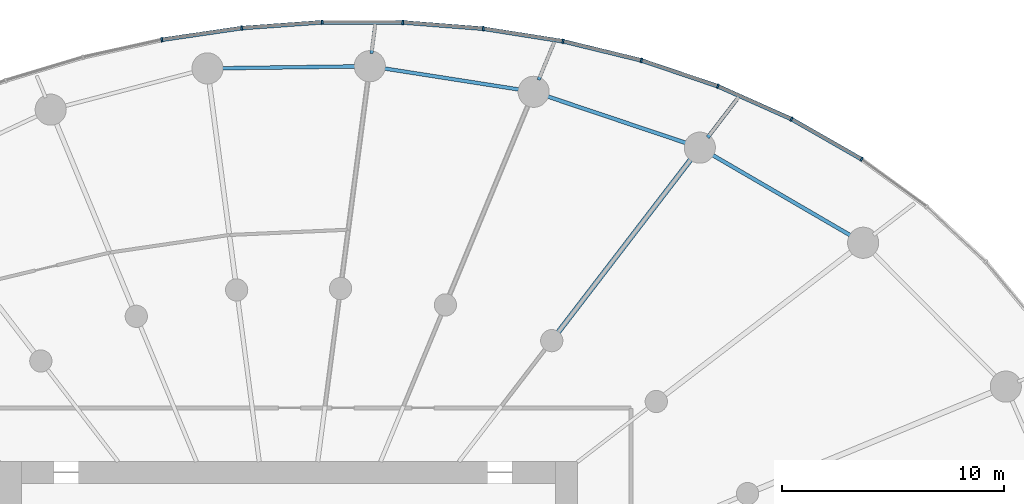
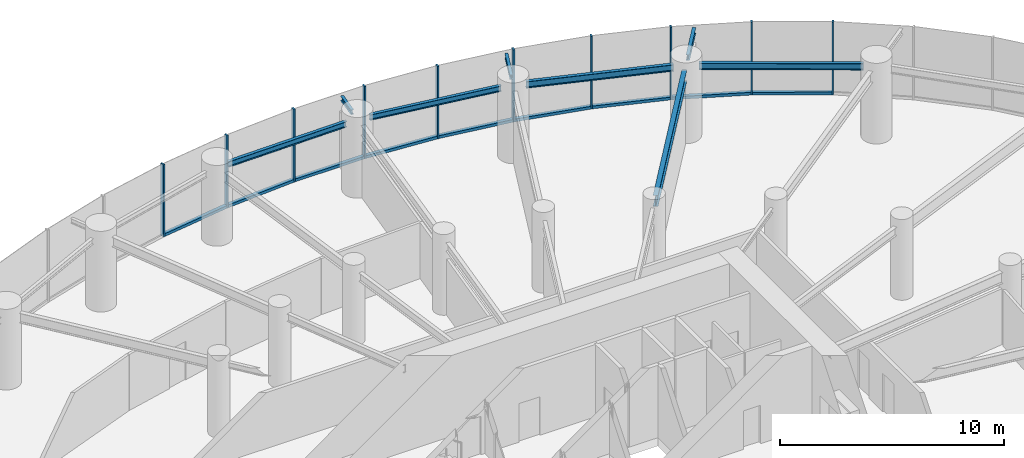
# One storey, part 8 of 19: 19 members, 8 beams, 2 elements without a shape of their own.
"""IFC4 building model written with IfcOpenShell, lengths in metres."""

import ifcopenshell
import ifcopenshell.guid

model = None  # the IFC model being written
_history = None  # IfcOwnerHistory: only IFC2X3 demands one
_inside = {}  # id of a spatial element -> (the spatial element, [elements in it])
_under = {}  # id of a project, library or spatial element -> (it, [spatial elements below it])
_declared = {}  # id of a project -> (the project, [libraries it declares])
_typed = {}  # id of a type object -> (the type object, [elements of that type])
_made_of = {}  # id of a material, layer set ... -> (it, [elements and type objects made of it])


def new_model(schema):
    """Start an empty IFC model of exactly this schema.

    Asked for "IFC4X3", IfcOpenShell would pick the latest addendum, in which some entities
    have other attributes; the version numbers below select the first issue.
    IFC2X3 requires an IfcOwnerHistory on every rooted entity: one is made here for all.
    """
    global model, _history
    if schema == "IFC4X3":
        model = ifcopenshell.file(schema_version=(4, 3, 0, 0))
    else:
        model = ifcopenshell.file(schema=schema)
    _inside.clear()
    _under.clear()
    _declared.clear()
    _typed.clear()
    _made_of.clear()
    _history = None
    if model.schema == "IFC2X3":
        org = make("IfcOrganization", Name="unknown")
        user = make(
            "IfcPersonAndOrganization",
            ThePerson=make("IfcPerson", FamilyName="unknown"),
            TheOrganization=org,
        )
        app = make(
            "IfcApplication",
            ApplicationDeveloper=org,
            Version="unknown",
            ApplicationFullName="unknown",
            ApplicationIdentifier="unknown",
        )
        _history = make(
            "IfcOwnerHistory",
            OwningUser=user,
            OwningApplication=app,
            ChangeAction="ADDED",
            CreationDate=0,
        )
    return model


def make(cls, **values):
    """One entity of the class cls with the attributes given. An attribute that is None is left unset."""
    return model.create_entity(
        cls, **{name: value for name, value in values.items() if value is not None}
    )


def rooted(cls, **values):
    """An entity with a GlobalId (a new one), such as an element, a storey or a relation."""
    return make(cls, GlobalId=ifcopenshell.guid.new(), OwnerHistory=_history, **values)


def si_unit(unit_type, name, prefix=None):
    """IfcSIUnit, for example si_unit("LENGTHUNIT", "METRE", prefix="MILLI")."""
    return make("IfcSIUnit", UnitType=unit_type, Prefix=prefix, Name=name)


def assignment(units):
    """IfcUnitAssignment: the units of a project."""
    return None if units is None else make("IfcUnitAssignment", Units=units)


def point(xyz):
    """IfcCartesianPoint."""
    return None if xyz is None else make("IfcCartesianPoint", Coordinates=xyz)


def direction(xyz):
    """IfcDirection."""
    return None if xyz is None else make("IfcDirection", DirectionRatios=xyz)


def frame(location, z_axis=None, x_axis=None):
    """IfcAxis2Placement3D, a coordinate frame: its origin and axes. An axis left out is left unset."""
    return make(
        "IfcAxis2Placement3D",
        Location=point(location),
        Axis=direction(z_axis),
        RefDirection=direction(x_axis),
    )


def frame_2d(location, x_axis=None):
    """IfcAxis2Placement2D, a coordinate frame in the plane: its origin and x axis."""
    return make(
        "IfcAxis2Placement2D", Location=point(location), RefDirection=direction(x_axis)
    )


def origin():
    """The frame at (0, 0, 0) with its axes left unset."""
    return frame((0.0, 0.0, 0.0))


def origin_2d():
    """The frame at (0, 0) in the plane with its x axis left unset."""
    return frame_2d((0.0, 0.0))


def place(relative_to, where):
    """IfcLocalPlacement: puts the frame where relative to a parent placement (None: the world)."""
    return make(
        "IfcLocalPlacement", PlacementRelTo=relative_to, RelativePlacement=where
    )


def context(
    kind, dimensions, precision=None, world=None, true_north=None, identifier=None
):
    """IfcGeometricRepresentationContext, for example the 3D "Model" context."""
    return make(
        "IfcGeometricRepresentationContext",
        ContextIdentifier=identifier,
        ContextType=kind,
        CoordinateSpaceDimension=dimensions,
        Precision=precision,
        WorldCoordinateSystem=world,
        TrueNorth=true_north,
    )


def subcontext(parent, identifier, kind, view, scale=None):
    """IfcGeometricRepresentationSubContext, for example "Body" below "Model"."""
    return make(
        "IfcGeometricRepresentationSubContext",
        ContextIdentifier=identifier,
        ContextType=kind,
        ParentContext=parent,
        TargetScale=scale,
        TargetView=view,
    )


def project(units=None, contexts=None):
    """IfcProject with its units and contexts."""
    return rooted(
        "IfcProject",
        Name="project",
        RepresentationContexts=contexts,
        UnitsInContext=assignment(units),
    )


def spatial(cls, under=None, at=None, **own):
    """A site, building, storey or space (cls), placed at a placement, below another one or the project."""
    s = rooted(cls, ObjectPlacement=at, **own)
    if under is not None:
        _under.setdefault(under.id(), (under, []))[1].append(s)
    return s


def profile(cls, at=None, kind="AREA", **sizes):
    """A parametric profile (cls). Its sizes go by their IFC names, for example OverallWidth=200.0."""
    return make(cls, ProfileType=kind, Position=at, **sizes)


def rectangle(**sizes):
    """IfcRectangleProfileDef."""
    return profile("IfcRectangleProfileDef", **sizes)


def i_section(**sizes):
    """IfcIShapeProfileDef."""
    return profile("IfcIShapeProfileDef", **sizes)


def extrude(swept, where, along, depth):
    """IfcExtrudedAreaSolid: the profile swept, set in the frame where, extruded along a direction by depth."""
    return make(
        "IfcExtrudedAreaSolid",
        SweptArea=swept,
        Position=where,
        ExtrudedDirection=direction(along),
        Depth=depth,
    )


def shape(context_of_items, identifier, shape_type, items):
    """IfcShapeRepresentation: the items that make up one representation, for example the "Body"."""
    return make(
        "IfcShapeRepresentation",
        ContextOfItems=context_of_items,
        RepresentationIdentifier=identifier,
        RepresentationType=shape_type,
        Items=items,
    )


def source(mapping_origin, context_of_items, identifier, shape_type, items):
    """IfcRepresentationMap: a shape defined once, which mapped items show again and again."""
    return make(
        "IfcRepresentationMap",
        MappingOrigin=mapping_origin,
        MappedRepresentation=shape(context_of_items, identifier, shape_type, items),
    )


def transform(
    local_origin,
    x_axis=None,
    y_axis=None,
    z_axis=None,
    scale=None,
    scale2=None,
    scale3=None,
    uniform=True,
):
    """IfcCartesianTransformationOperator3D, or its non-uniform kind. x_axis, y_axis, z_axis: its Axis1, 2, 3."""
    if uniform:
        return make(
            "IfcCartesianTransformationOperator3D",
            Axis1=direction(x_axis),
            Axis2=direction(y_axis),
            LocalOrigin=point(local_origin),
            Scale=scale,
            Axis3=direction(z_axis),
        )
    return make(
        "IfcCartesianTransformationOperator3DnonUniform",
        Axis1=direction(x_axis),
        Axis2=direction(y_axis),
        LocalOrigin=point(local_origin),
        Scale=scale,
        Axis3=direction(z_axis),
        Scale2=scale2,
        Scale3=scale3,
    )


def mapped(mapping_source, mapping_target):
    """IfcMappedItem: shows the shape of a source again, moved by a transform."""
    return make(
        "IfcMappedItem", MappingSource=mapping_source, MappingTarget=mapping_target
    )


def material(Name=None, Category=None):
    """IfcMaterial."""
    return make("IfcMaterial", Name=Name, Category=Category)


def layer(
    of_material, thickness, ventilated=None, Name=None, Category=None, Priority=None
):
    """IfcMaterialLayer: one layer of a wall or slab, of a material (None: an air gap)."""
    return make(
        "IfcMaterialLayer",
        Material=of_material,
        LayerThickness=thickness,
        IsVentilated=ventilated,
        Name=Name,
        Category=Category,
        Priority=Priority,
    )


def layer_set(layers, Name=None):
    """IfcMaterialLayerSet."""
    return make("IfcMaterialLayerSet", MaterialLayers=layers, LayerSetName=Name)


def material_profile(
    of_material, cross_section, Name=None, Category=None, Priority=None
):
    """IfcMaterialProfile: a cross section and its material."""
    return make(
        "IfcMaterialProfile",
        Name=Name,
        Material=of_material,
        Profile=cross_section,
        Priority=Priority,
        Category=Category,
    )


def profile_set(profiles, Name=None, composite=None):
    """IfcMaterialProfileSet."""
    return make(
        "IfcMaterialProfileSet",
        Name=Name,
        MaterialProfiles=profiles,
        CompositeProfile=composite,
    )


def made_of(thing, what):
    """Note that an element or type object is made of a material, layer set ...; save() writes the relation."""
    if what is not None:
        _made_of.setdefault(what.id(), (what, []))[1].append(thing)
    return thing


def type_object(cls, material=None, **own):
    """A type object (cls), such as IfcWallType, which elements share."""
    return made_of(rooted(cls, **own), material)


def element(
    cls,
    number,
    at=None,
    inside=None,
    cuts=None,
    type_object=None,
    material=None,
    context=None,
    identifier="Body",
    shape_type=None,
    held_by="IfcProductDefinitionShape",
    body=None,
    shapes=None,
    **own,
):
    """One element of the class cls, such as IfcWall. Its Tag is "e" and its number.

    at: its placement. inside: the storey or other place that contains it. cuts: it is an
    opening in that element (IfcRelVoidsElement). A single representation is given by context,
    identifier, shape_type and body (its items); several are given by shapes. held_by: the class
    of the entity that holds the representations. save() writes the other relations.
    """
    e = rooted(cls, Tag="e%d" % number, ObjectPlacement=at, **own)
    if body is not None:
        shapes = [shape(context, identifier, shape_type, body)]
    if shapes is not None:
        e.Representation = make(held_by, Representations=shapes)
    if inside is not None:
        _inside.setdefault(inside.id(), (inside, []))[1].append(e)
    if cuts is not None:
        rooted(
            "IfcRelVoidsElement", RelatingBuildingElement=cuts, RelatedOpeningElement=e
        )
    if type_object is not None:
        _typed.setdefault(type_object.id(), (type_object, []))[1].append(e)
    return made_of(e, material)


def aggregate(whole, parts):
    """IfcRelAggregates: a whole, such as a stair, and the parts it consists of."""
    return rooted("IfcRelAggregates", RelatingObject=whole, RelatedObjects=parts)


def save(model, path):
    """Write the relations noted so far, then the file.

    IfcRelAggregates (storeys below a building ...), IfcRelContainedInSpatialStructure (elements
    in a storey), IfcRelDefinesByType, IfcRelAssociatesMaterial and IfcRelDeclares: one each for
    every whole, place, type object, material and project.
    """
    for whole, parts in _under.values():
        aggregate(whole, parts)
    for where, things in _inside.values():
        rooted(
            "IfcRelContainedInSpatialStructure",
            RelatedElements=things,
            RelatingStructure=where,
        )
    for kind, things in _typed.values():
        rooted("IfcRelDefinesByType", RelatedObjects=things, RelatingType=kind)
    for what, things in _made_of.values():
        rooted("IfcRelAssociatesMaterial", RelatedObjects=things, RelatingMaterial=what)
    for by, libraries in _declared.values():
        rooted("IfcRelDeclares", RelatingContext=by, RelatedDefinitions=libraries)
    model.write(path)


model = new_model("IFC4")

# Units and contexts
model_context = context("Model", 3, precision=1e-05, world=origin(), true_north=direction((0.0, 1.0)))
body_context = subcontext(model_context, "Body", "Model", "MODEL_VIEW")
ifc_project = project(units=[si_unit("LENGTHUNIT", "METRE"), si_unit("AREAUNIT", "SQUARE_METRE"), si_unit("VOLUMEUNIT", "CUBIC_METRE"), si_unit("PLANEANGLEUNIT", "RADIAN"), si_unit("MASSUNIT", "GRAM", prefix="KILO")], contexts=[model_context])

# Site, building, storey
site_placement = place(None, origin())
site = spatial("IfcSite", under=ifc_project, at=site_placement, CompositionType="ELEMENT")
building_placement = place(site_placement, origin())
building = spatial("IfcBuilding", under=site, at=building_placement, Name="Spindrift Exchange Tower", CompositionType="ELEMENT")
storey_placement = place(building_placement, frame((0.0, 0.0, 49.0)))
storey = spatial("IfcBuildingStorey", under=building, at=storey_placement, Name="L11", CompositionType="ELEMENT", Elevation=49.0)

# Beams
ifc_material_1 = material(Name="Steel Grade 300", Category="steel")
ifc_material_profile_1 = material_profile(ifc_material_1, i_section(OverallWidth=0.22802734375, OverallDepth=0.60693359375, WebThickness=0.01123046875, FlangeThickness=0.017333984375, FilletRadius=0.013916015625, at=origin_2d()), Name="610UB113")
ifc_profile_set_1 = profile_set([ifc_material_profile_1], Name="Steel Grade 300")
beam_type_1 = type_object("IfcBeamType", Name="Floor Beam 610UB113 Steel Grade 300", PredefinedType="BEAM", material=ifc_profile_set_1)
shared_shape_1 = source(origin(), body_context, "Body", "SweptSolid", [
    extrude(i_section(OverallWidth=0.22802734375, OverallDepth=0.60693359375, WebThickness=0.01123046875, FlangeThickness=0.017333984375, FilletRadius=0.013916015625, at=origin_2d()), origin(), (0.0, 0.0, 1.0), 9.87548828125),
])
beam_1_placement = place(storey_placement, frame((64.127197265625, 63.8046875, 3.646484375), z_axis=(0.608772470836, 0.793344867477, 0.0), x_axis=(-0.793344867477, 0.608772470836, 0.0)))
element("IfcBeam", 1, at=beam_1_placement, inside=storey, type_object=beam_type_1, Name="L11 radial beam R04B", PredefinedType="BEAM", context=body_context, shape_type="MappedRepresentation", body=[
    mapped(shared_shape_1, transform((0.0, 0.0, 0.0), scale=1.0)),
])
ifc_material_profile_2 = material_profile(ifc_material_1, i_section(OverallWidth=0.172119140625, OverallDepth=0.35888671875, WebThickness=0.008056640625, FlangeThickness=0.012939453125, FilletRadius=0.013916015625, at=origin_2d()), Name="360UB56.7")
ifc_profile_set_2 = profile_set([ifc_material_profile_2], Name="Steel Grade 300")
beam_type_2 = type_object("IfcBeamType", Name="Edge Beam 360UB56.7 Steel Grade 300", PredefinedType="SPANDREL", material=ifc_profile_set_2)
shared_shape_2 = source(origin(), body_context, "Body", "SweptSolid", [
    extrude(i_section(OverallWidth=0.172119140625, OverallDepth=0.35888671875, WebThickness=0.008056640625, FlangeThickness=0.012939453125, FilletRadius=0.013916015625, at=origin_2d()), origin(), (0.0, 0.0, 1.0), 7.33740234375),
])
beam_2_placement = place(storey_placement, frame((77.33447265625, 68.1162109375, 3.7705078125), z_axis=(-0.864211826308, 0.503128134047, 0.0), x_axis=(-0.503128134047, -0.864211826308, 0.0)))
element("IfcBeam", 2, at=beam_2_placement, inside=storey, type_object=beam_type_2, Name="L11 edge beam E03", PredefinedType="SPANDREL", context=body_context, shape_type="MappedRepresentation", body=[
    mapped(shared_shape_2, transform((0.0, 0.0, 0.0), scale=1.0)),
])
shared_shape_3 = source(origin(), body_context, "Body", "SweptSolid", [
    extrude(i_section(OverallWidth=0.172119140625, OverallDepth=0.35888671875, WebThickness=0.008056640625, FlangeThickness=0.012939453125, FilletRadius=0.013916015625, at=origin_2d()), origin(), (0.0, 0.0, 1.0), 6.72021484375),
])
beam_3_placement = place(storey_placement, frame((69.9423828125, 72.28466796875, 3.7705078125), z_axis=(-0.947851749681, 0.318711563372, 0.0), x_axis=(-0.318711563372, -0.947851749681, 0.0)))
element("IfcBeam", 3, at=beam_3_placement, inside=storey, type_object=beam_type_2, Name="L11 edge beam E04", PredefinedType="SPANDREL", context=body_context, shape_type="MappedRepresentation", body=[
    mapped(shared_shape_3, transform((0.0, 0.0, 0.0), scale=1.0)),
])
ifc_material_profile_3 = material_profile(ifc_material_1, i_section(OverallWidth=0.1650390625, OverallDepth=0.303955078125, WebThickness=0.006103515625, FlangeThickness=0.01025390625, FilletRadius=0.011474609375, at=origin_2d()), Name="310UB40.4")
ifc_profile_set_3 = profile_set([ifc_material_profile_3], Name="Steel Grade 300")
beam_type_3 = type_object("IfcBeamType", Name="Edge Beam 310UB40.4 Steel Grade 300", PredefinedType="SPANDREL", material=ifc_profile_set_3)
shared_shape_4 = source(origin(), body_context, "Body", "SweptSolid", [
    extrude(i_section(OverallWidth=0.1650390625, OverallDepth=0.303955078125, WebThickness=0.006103515625, FlangeThickness=0.01025390625, FilletRadius=0.011474609375, at=origin_2d()), origin(), (0.0, 0.0, 1.0), 6.297119140625),
])
beam_4_placement = place(storey_placement, frame((62.44970703125, 74.70068359375, 3.798095703125), z_axis=(-0.98802902915, 0.154268070436, 0.0), x_axis=(-0.154268070436, -0.98802902915, 0.0)))
element("IfcBeam", 4, at=beam_4_placement, inside=storey, type_object=beam_type_3, Name="L11 edge beam E05", PredefinedType="SPANDREL", context=body_context, shape_type="MappedRepresentation", body=[
    mapped(shared_shape_4, transform((0.0, 0.0, 0.0), scale=1.0)),
])
shared_shape_5 = source(origin(), body_context, "Body", "SweptSolid", [
    extrude(i_section(OverallWidth=0.1650390625, OverallDepth=0.303955078125, WebThickness=0.006103515625, FlangeThickness=0.01025390625, FilletRadius=0.011474609375, at=origin_2d()), origin(), (0.0, 0.0, 1.0), 6.13720703125),
])
beam_5_placement = place(storey_placement, frame((55.074951171875, 75.75341796875, 3.798095703125), z_axis=(-0.999905820907, -0.013724041543, 0.0), x_axis=(0.013724041543, -0.999905820907, 0.0)))
element("IfcBeam", 5, at=beam_5_placement, inside=storey, type_object=beam_type_3, Name="L11 edge beam E06", PredefinedType="SPANDREL", context=body_context, shape_type="MappedRepresentation", body=[
    mapped(shared_shape_5, transform((0.0, 0.0, 0.0), scale=1.0)),
])
ifc_material_profile_4 = material_profile(ifc_material_1, i_section(OverallWidth=0.1650390625, OverallDepth=0.303955078125, WebThickness=0.006103515625, FlangeThickness=0.01025390625, FilletRadius=0.011474609375, at=origin_2d()), Name="310UB40.4")
ifc_profile_set_4 = profile_set([ifc_material_profile_4], Name="Steel Grade 300")
beam_type_4 = type_object("IfcBeamType", Name="Cantilever Beam 310UB40.4 Steel Grade 300", PredefinedType="BEAM", material=ifc_profile_set_4)
shared_shape_6 = source(origin(), body_context, "Body", "SweptSolid", [
    extrude(i_section(OverallWidth=0.1650390625, OverallDepth=0.303955078125, WebThickness=0.006103515625, FlangeThickness=0.01025390625, FilletRadius=0.011474609375, at=origin_2d()), origin(), (0.0, 0.0, 1.0), 2.16064453125),
])
beam_6_placement = place(storey_placement, frame((70.845458984375, 72.559814453125, 3.798095703125), z_axis=(0.60873278131, 0.793375321622, 0.0), x_axis=(-0.793375321622, 0.60873278131, 0.0)))
element("IfcBeam", 6, at=beam_6_placement, inside=storey, type_object=beam_type_4, Name="L11 cantilever beam R04T", PredefinedType="BEAM", context=body_context, shape_type="MappedRepresentation", body=[
    mapped(shared_shape_6, transform((0.0, 0.0, 0.0), scale=1.0)),
])
ifc_material_profile_5 = material_profile(ifc_material_1, i_section(OverallWidth=0.14599609375, OverallDepth=0.251953125, WebThickness=0.006103515625, FlangeThickness=0.008544921875, FilletRadius=0.011962890625, at=origin_2d()), Name="250UB31.4")
ifc_profile_set_5 = profile_set([ifc_material_profile_5], Name="Steel Grade 300")
beam_type_5 = type_object("IfcBeamType", Name="Cantilever Beam 250UB31.4 Steel Grade 300", PredefinedType="BEAM", material=ifc_profile_set_5)
shared_shape_7 = source(origin(), body_context, "Body", "SweptSolid", [
    extrude(i_section(OverallWidth=0.14599609375, OverallDepth=0.251953125, WebThickness=0.006103515625, FlangeThickness=0.008544921875, FilletRadius=0.011962890625, at=origin_2d()), origin(), (0.0, 0.0, 1.0), 1.72216796875),
])
beam_7_placement = place(storey_placement, frame((63.244873046875, 75.147216796875, 3.823974609375), z_axis=(0.382631424892, 0.923901072997, 0.0), x_axis=(-0.923901072997, 0.382631424892, 0.0)))
element("IfcBeam", 7, at=beam_7_placement, inside=storey, type_object=beam_type_5, Name="L11 cantilever beam R05T", PredefinedType="BEAM", context=body_context, shape_type="MappedRepresentation", body=[
    mapped(shared_shape_7, transform((0.0, 0.0, 0.0), scale=1.0)),
])
shared_shape_8 = source(origin(), body_context, "Body", "SweptSolid", [
    extrude(i_section(OverallWidth=0.14599609375, OverallDepth=0.251953125, WebThickness=0.006103515625, FlangeThickness=0.008544921875, FilletRadius=0.011962890625, at=origin_2d()), origin(), (0.0, 0.0, 1.0), 1.208740234375),
])
beam_8_placement = place(storey_placement, frame((55.730712890625, 76.33642578125, 3.823974609375), z_axis=(0.130271649793, 0.991478339279, 0.0), x_axis=(-0.991478339279, 0.130271649793, 0.0)))
element("IfcBeam", 8, at=beam_8_placement, inside=storey, type_object=beam_type_5, Name="L11 cantilever beam R06T", PredefinedType="BEAM", context=body_context, shape_type="MappedRepresentation", body=[
    mapped(shared_shape_8, transform((0.0, 0.0, 0.0), scale=1.0)),
])

# Curtain wall, members
ifc_material_2 = material(Name="Fritted laminated glass with bronze frame", Category="glass")
ifc_layer = layer(ifc_material_2, 0.199951171875)
ifc_layer_set = layer_set([ifc_layer], Name="ZONE 1 BRONZE FRITTED WALL")
curtain_wall_type = type_object("IfcCurtainWallType", Name="ZONE 1 BRONZE FRITTED WALL", PredefinedType="NOTDEFINED", material=ifc_layer_set)
curtain_wall_1_placement = place(storey_placement, origin())
curtain_wall_1 = element("IfcCurtainWall", 9, at=curtain_wall_1_placement, inside=storey, type_object=curtain_wall_type, Name="L11 Zone 1 Bronze Fritted Wall run 2", PredefinedType="NOTDEFINED")
ifc_material_3 = material(Name="Bronze anodised aluminium", Category="aluminium")
ifc_material_profile_6 = material_profile(ifc_material_3, rectangle(XDim=0.080078125, YDim=0.199951171875, at=origin_2d()), Name="ZONE 1 BRONZE FRITTED WALL MULLION 80X200")
ifc_profile_set_6 = profile_set([ifc_material_profile_6], Name="Bronze anodised aluminium")
member_type_1 = type_object("IfcMemberType", Name="ZONE 1 BRONZE FRITTED WALL MULLION 80X200", PredefinedType="MULLION", material=ifc_profile_set_6)
shared_shape_9 = source(origin(), body_context, "Body", "SweptSolid", [
    extrude(rectangle(XDim=0.080078125, YDim=0.199951171875, at=origin_2d()), origin(), (0.0, 0.0, 1.0), 3.949951171875),
])
member_1_placement = place(storey_placement, frame((77.75927734375, 71.58154296875, 0.0), z_axis=(0.0, 0.0, 1.0), x_axis=(-0.839186650102, 0.543843512687, 0.0)))
member_1 = element("IfcMember", 10, at=member_1_placement, type_object=member_type_1, Name="L11 mullion CW-1.7", PredefinedType="MULLION", context=body_context, shape_type="MappedRepresentation", body=[
    mapped(shared_shape_9, transform((0.0, 0.0, 0.0), scale=1.0)),
])
member_2_placement = place(storey_placement, frame((74.612548828125, 73.384521484375, 0.0), z_axis=(0.0, 0.0, 1.0), x_axis=(-0.891595554501, 0.452832603943, 0.0)))
member_2 = element("IfcMember", 11, at=member_2_placement, type_object=member_type_1, Name="L11 mullion CW-1.8", PredefinedType="MULLION", context=body_context, shape_type="MappedRepresentation", body=[
    mapped(shared_shape_9, transform((0.0, 0.0, 0.0), scale=1.0)),
])
member_3_placement = place(storey_placement, frame((71.30029296875, 74.862060546875, 0.0), z_axis=(0.0, 0.0, 1.0), x_axis=(-0.931267956619, 0.364335001029, 0.0)))
member_3 = element("IfcMember", 12, at=member_3_placement, type_object=member_type_1, Name="L11 mullion CW-1.9", PredefinedType="MULLION", context=body_context, shape_type="MappedRepresentation", body=[
    mapped(shared_shape_9, transform((0.0, 0.0, 0.0), scale=1.0)),
])
member_4_placement = place(storey_placement, frame((67.86474609375, 76.0244140625, 0.0), z_axis=(0.0, 0.0, 1.0), x_axis=(-0.960329445351, 0.278867990978, 0.0)))
member_4 = element("IfcMember", 13, at=member_4_placement, type_object=member_type_1, Name="L11 mullion CW-1.10", PredefinedType="MULLION", context=body_context, shape_type="MappedRepresentation", body=[
    mapped(shared_shape_9, transform((0.0, 0.0, 0.0), scale=1.0)),
])
member_5_placement = place(storey_placement, frame((64.340576171875, 76.883056640625, 0.0), z_axis=(0.0, 0.0, 1.0), x_axis=(-0.980508900087, 0.196474672289, 0.0)))
member_5 = element("IfcMember", 14, at=member_5_placement, type_object=member_type_1, Name="L11 mullion CW-1.11", PredefinedType="MULLION", context=body_context, shape_type="MappedRepresentation", body=[
    mapped(shared_shape_9, transform((0.0, 0.0, 0.0), scale=1.0)),
])
member_6_placement = place(storey_placement, frame((60.7578125, 77.448486328125, 0.0), z_axis=(0.0, 0.0, 1.0), x_axis=(-0.993138802476, 0.11694151964, 0.0)))
member_6 = element("IfcMember", 15, at=member_6_placement, type_object=member_type_1, Name="L11 mullion CW-1.12", PredefinedType="MULLION", context=body_context, shape_type="MappedRepresentation", body=[
    mapped(shared_shape_9, transform((0.0, 0.0, 0.0), scale=1.0)),
])

curtain_wall_2_placement = place(storey_placement, origin())
curtain_wall_2 = element("IfcCurtainWall", 16, at=curtain_wall_2_placement, inside=storey, type_object=curtain_wall_type, Name="L11 Zone 1 Bronze Fritted Wall run 3", PredefinedType="NOTDEFINED")
member_7_placement = place(storey_placement, frame((57.141357421875, 77.730712890625, 0.0), z_axis=(0.0, 0.0, 1.0), x_axis=(-0.999203951176, 0.039893156723, 0.0)))
member_7 = element("IfcMember", 17, at=member_7_placement, type_object=member_type_1, Name="L11 mullion CW-1.13", PredefinedType="MULLION", context=body_context, shape_type="MappedRepresentation", body=[
    mapped(shared_shape_9, transform((0.0, 0.0, 0.0), scale=1.0)),
])
member_8_placement = place(storey_placement, frame((53.513916015625, 77.73779296875, 0.0), z_axis=(0.0, 0.0, 1.0), x_axis=(-0.999383632365, -0.035104919327, 0.0)))
member_8 = element("IfcMember", 18, at=member_8_placement, type_object=member_type_1, Name="L11 mullion CW-1.14", PredefinedType="MULLION", context=body_context, shape_type="MappedRepresentation", body=[
    mapped(shared_shape_9, transform((0.0, 0.0, 0.0), scale=1.0)),
])
member_9_placement = place(storey_placement, frame((49.89599609375, 77.476318359375, 0.0), z_axis=(0.0, 0.0, 1.0), x_axis=(-0.994098393909, -0.108482179306, 0.0)))
member_9 = element("IfcMember", 19, at=member_9_placement, type_object=member_type_1, Name="L11 mullion CW-1.15", PredefinedType="MULLION", context=body_context, shape_type="MappedRepresentation", body=[
    mapped(shared_shape_9, transform((0.0, 0.0, 0.0), scale=1.0)),
])
member_10_placement = place(storey_placement, frame((46.306884765625, 76.951171875, 0.0), z_axis=(0.0, 0.0, 1.0), x_axis=(-0.983545056168, -0.180663008075, 0.0)))
member_10 = element("IfcMember", 20, at=member_10_placement, type_object=member_type_1, Name="L11 mullion CW-1.16", PredefinedType="MULLION", context=body_context, shape_type="MappedRepresentation", body=[
    mapped(shared_shape_9, transform((0.0, 0.0, 0.0), scale=1.0)),
])

# Member
ifc_material_profile_7 = material_profile(ifc_material_3, rectangle(XDim=0.179931640625, YDim=0.14990234375, at=origin_2d()), Name="ZONE 1 BRONZE FRITTED WALL TRANSOM 180X150")
ifc_profile_set_7 = profile_set([ifc_material_profile_7], Name="Bronze anodised aluminium")
member_type_2 = type_object("IfcMemberType", Name="ZONE 1 BRONZE FRITTED WALL TRANSOM 180X150", PredefinedType="USERDEFINED", material=ifc_profile_set_7)
shared_shape_10 = source(origin(), body_context, "Body", "SweptSolid", [
    extrude(rectangle(XDim=0.179931640625, YDim=0.14990234375, at=origin_2d()), origin(), (0.0, 0.0, 1.0), 3.546875),
])
member_11_placement = place(storey_placement, frame((71.262451171875, 74.874755859375, 0.074951171875), z_axis=(-0.947255837312, 0.320478359143, 0.0), x_axis=(-0.320478359143, -0.947255837312, 0.0)))
member_11 = element("IfcMember", 21, at=member_11_placement, type_object=member_type_2, Name="L11 transom CW-1.9", ObjectType="TRANSOM", PredefinedType="USERDEFINED", context=body_context, shape_type="MappedRepresentation", body=[
    mapped(shared_shape_10, transform((0.0, 0.0, 0.0), scale=1.0)),
])

shared_shape_11 = source(origin(), body_context, "Body", "SweptSolid", [
    extrude(rectangle(XDim=0.179931640625, YDim=0.14990234375, at=origin_2d()), origin(), (0.0, 0.0, 1.0), 3.54736328125),
])
member_12_placement = place(storey_placement, frame((67.825927734375, 76.033935546875, 0.074951171875), z_axis=(-0.971586381183, 0.236685242253, 0.0), x_axis=(-0.236685242253, -0.971586381183, 0.0)))
member_12 = element("IfcMember", 22, at=member_12_placement, type_object=member_type_2, Name="L11 transom CW-1.10", ObjectType="TRANSOM", PredefinedType="USERDEFINED", context=body_context, shape_type="MappedRepresentation", body=[
    mapped(shared_shape_11, transform((0.0, 0.0, 0.0), scale=1.0)),
])

member_13_placement = place(storey_placement, frame((64.301025390625, 76.88916015625, 0.074951171875), z_axis=(-0.987764081371, 0.155955505044, 0.0), x_axis=(-0.155955505044, -0.987764081371, 0.0)))
member_13 = element("IfcMember", 23, at=member_13_placement, type_object=member_type_2, Name="L11 transom CW-1.11", ObjectType="TRANSOM", PredefinedType="USERDEFINED", context=body_context, shape_type="MappedRepresentation", body=[
    mapped(shared_shape_11, transform((0.0, 0.0, 0.0), scale=1.0)),
])

member_14_placement = place(storey_placement, frame((57.101318359375, 77.730712890625, 0.074951171875), z_axis=(-0.999998143249, 0.00192704391, 0.0), x_axis=(-0.00192704391, -0.999998143249, 0.0)))
member_14 = element("IfcMember", 24, at=member_14_placement, type_object=member_type_2, Name="L11 transom CW-1.13", ObjectType="TRANSOM", PredefinedType="USERDEFINED", context=body_context, shape_type="MappedRepresentation", body=[
    mapped(shared_shape_11, transform((0.0, 0.0, 0.0), scale=1.0)),
])

member_15_placement = place(storey_placement, frame((53.47412109375, 77.73486328125, 0.074951171875), z_axis=(-0.997395426555, -0.07212740871, 0.0), x_axis=(0.07212740871, -0.997395426555, 0.0)))
member_15 = element("IfcMember", 25, at=member_15_placement, type_object=member_type_2, Name="L11 transom CW-1.14", ObjectType="TRANSOM", PredefinedType="USERDEFINED", context=body_context, shape_type="MappedRepresentation", body=[
    mapped(shared_shape_11, transform((0.0, 0.0, 0.0), scale=1.0)),
])

member_16_placement = place(storey_placement, frame((49.8564453125, 77.470458984375, 0.074951171875), z_axis=(-0.989470441567, -0.1447350865, 0.0), x_axis=(0.1447350865, -0.989470441567, 0.0)))
member_16 = element("IfcMember", 26, at=member_16_placement, type_object=member_type_2, Name="L11 transom CW-1.15", ObjectType="TRANSOM", PredefinedType="USERDEFINED", context=body_context, shape_type="MappedRepresentation", body=[
    mapped(shared_shape_11, transform((0.0, 0.0, 0.0), scale=1.0)),
])

aggregate(curtain_wall_2, [member_7, member_14, member_8, member_15, member_9, member_16, member_10])

shared_shape_12 = source(origin(), body_context, "Body", "SweptSolid", [
    extrude(rectangle(XDim=0.179931640625, YDim=0.14990234375, at=origin_2d()), origin(), (0.0, 0.0, 1.0), 3.547119140625),
])
member_17_placement = place(storey_placement, frame((60.7177734375, 77.45166015625, 0.074951171875), z_axis=(-0.996970903438, 0.077775431197, 0.0), x_axis=(-0.077775431197, -0.996970903438, 0.0)))
member_17 = element("IfcMember", 27, at=member_17_placement, type_object=member_type_2, Name="L11 transom CW-1.12", ObjectType="TRANSOM", PredefinedType="USERDEFINED", context=body_context, shape_type="MappedRepresentation", body=[
    mapped(shared_shape_12, transform((0.0, 0.0, 0.0), scale=1.0)),
])

shared_shape_13 = source(origin(), body_context, "Body", "SweptSolid", [
    extrude(rectangle(XDim=0.179931640625, YDim=0.14990234375, at=origin_2d()), origin(), (0.0, 0.0, 1.0), 3.546630859375),
])
member_18_placement = place(storey_placement, frame((77.724609375, 71.6015625, 0.074951171875), z_axis=(-0.867704635196, 0.49708014048, 0.0), x_axis=(-0.49708014048, -0.867704635196, 0.0)))
member_18 = element("IfcMember", 28, at=member_18_placement, type_object=member_type_2, Name="L11 transom CW-1.7", ObjectType="TRANSOM", PredefinedType="USERDEFINED", context=body_context, shape_type="MappedRepresentation", body=[
    mapped(shared_shape_13, transform((0.0, 0.0, 0.0), scale=1.0)),
])

member_19_placement = place(storey_placement, frame((74.575927734375, 73.40087890625, 0.074951171875), z_axis=(-0.913260012857, 0.407377158068, 0.0), x_axis=(-0.407377158068, -0.913260012857, 0.0)))
member_19 = element("IfcMember", 29, at=member_19_placement, type_object=member_type_2, Name="L11 transom CW-1.8", ObjectType="TRANSOM", PredefinedType="USERDEFINED", context=body_context, shape_type="MappedRepresentation", body=[
    mapped(shared_shape_13, transform((0.0, 0.0, 0.0), scale=1.0)),
])

aggregate(curtain_wall_1, [member_1, member_18, member_2, member_19, member_3, member_11, member_4, member_12, member_5, member_13, member_6, member_17])

save(model, "model.ifc")
